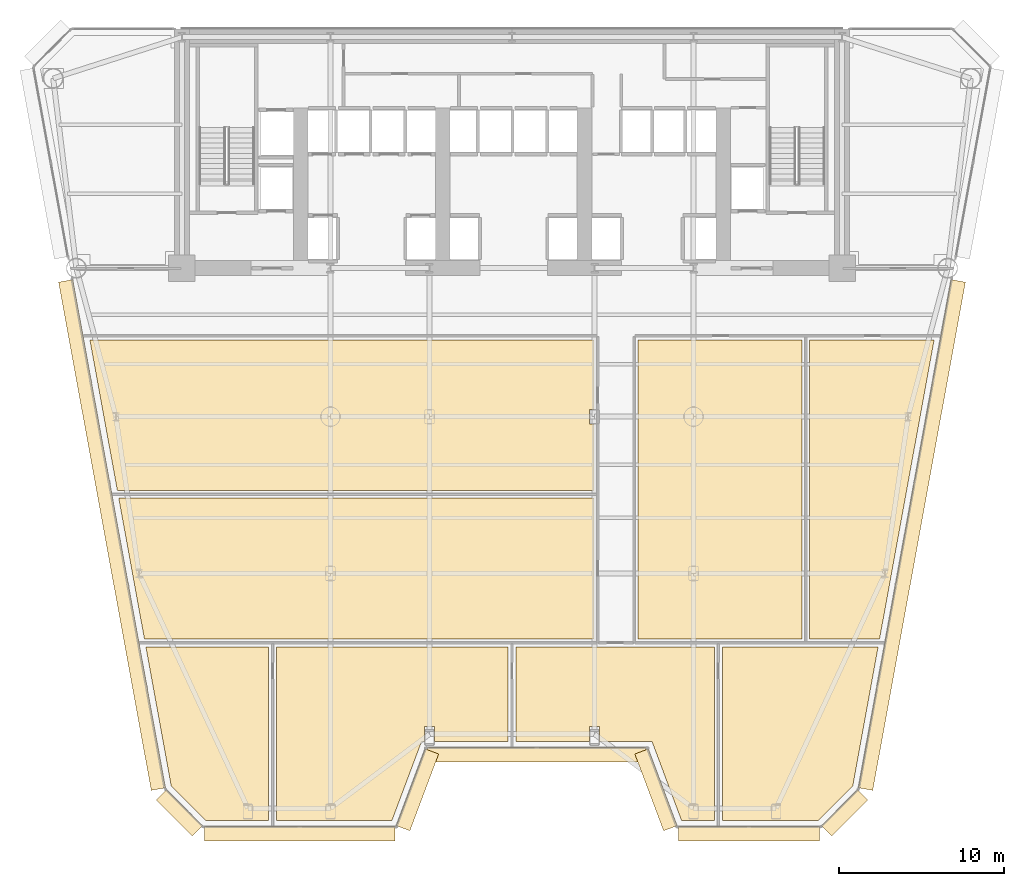
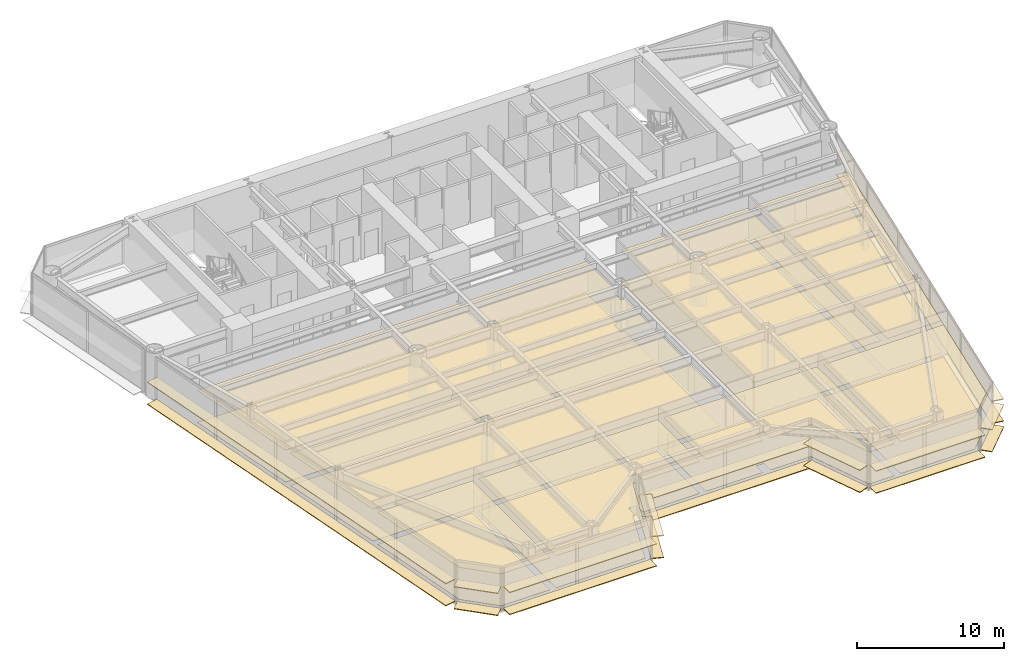
# One storey, part 11 of 14: 34 coverings.
"""IFC4 building model written with IfcOpenShell, lengths in metres."""

from ifc_helpers import new_model, si_unit, direction, frame, origin, origin_2d, place, context, subcontext, project, spatial, polyline, rectangle, outline, extrude, source, transform, mapped, material, layer, layer_set, type_object, element, save


model = new_model("IFC4")

# Units and contexts
model_context = context("Model", 3, precision=1e-05, world=origin(), true_north=direction((0.0, 1.0)))
body_context = subcontext(model_context, "Body", "Model", "MODEL_VIEW")
ifc_project = project(units=[si_unit("LENGTHUNIT", "METRE"), si_unit("AREAUNIT", "SQUARE_METRE"), si_unit("VOLUMEUNIT", "CUBIC_METRE"), si_unit("PLANEANGLEUNIT", "RADIAN"), si_unit("MASSUNIT", "GRAM", prefix="KILO")], contexts=[model_context])

# Site, building, storey
site_placement = place(None, origin())
site = spatial("IfcSite", under=ifc_project, at=site_placement, CompositionType="ELEMENT")
building_placement = place(site_placement, origin())
building = spatial("IfcBuilding", under=site, at=building_placement, Name="Vaeldorn Concourse Tower", CompositionType="ELEMENT")
storey_placement = place(building_placement, frame((0.0, 0.0, 60.60009765625)))
storey = spatial("IfcBuildingStorey", under=building, at=storey_placement, Name="L15", CompositionType="ELEMENT", Elevation=60.60009765625)

# Coverings
ifc_material_1 = material(Name="Acoustic Mineral Fibre Board", Category="gypsum")
ifc_layer_1 = layer(ifc_material_1, 0.0400390625)
ifc_layer_set_1 = layer_set([ifc_layer_1], Name="Acoustic Mineral Fibre Board")
covering_type_1 = type_object("IfcCoveringType", Name="COV-CEIL-ACOUSTIC", PredefinedType="CEILING", material=ifc_layer_set_1)
covering_1_placement = place(storey_placement, frame((0.0, 0.0, 2.64990234375)))
element("IfcCovering", 1, at=covering_1_placement, inside=storey, type_object=covering_type_1, Name="Suspended Acoustic Ceiling L15-5", PredefinedType="CEILING", context=body_context, shape_type="SweptSolid", body=[
    extrude(outline(polyline([(19.260009765625, 13.56005859375), (19.260009765625, 3.02978515625), (15.44677734375, 3.02978515625), (13.352294921875, 5.12451171875), (11.814208984375, 13.56005859375), (19.260009765625, 13.56005859375)])), origin(), (0.0, 0.0, 1.0), 0.0400390625),
])
covering_2_placement = place(storey_placement, frame((0.0, 0.0, 2.64990234375)))
element("IfcCovering", 2, at=covering_2_placement, inside=storey, type_object=covering_type_1, Name="Suspended Acoustic Ceiling L15-6", PredefinedType="CEILING", context=body_context, shape_type="SweptSolid", body=[
    extrude(outline(polyline([(26.722900390625, 3.02978515625), (19.739990234375, 3.02978515625), (19.739990234375, 13.56005859375), (33.760009765625, 13.56005859375), (33.760009765625, 7.829833984375), (29.300048828125, 7.829833984375), (29.300048828125, 8.718994140625), (28.699951171875, 8.718994140625), (28.699951171875, 7.829833984375), (28.522705078125, 7.829833984375), (26.722900390625, 3.02978515625)])), origin(), (0.0, 0.0, 1.0), 0.0400390625),
])
covering_3_placement = place(storey_placement, frame((0.0, 0.0, 2.64990234375)))
element("IfcCovering", 3, at=covering_3_placement, inside=storey, type_object=covering_type_1, Name="Suspended Acoustic Ceiling L15-7", PredefinedType="CEILING", context=body_context, shape_type="SweptSolid", body=[
    extrude(outline(polyline([(34.239990234375, 13.56005859375), (46.260009765625, 13.56005859375), (46.260009765625, 3.02978515625), (44.277099609375, 3.02978515625), (42.477294921875, 7.829833984375), (39.300048828125, 7.829833984375), (39.300048828125, 8.718994140625), (38.699951171875, 8.718994140625), (38.699951171875, 7.829833984375), (34.239990234375, 7.829833984375), (34.239990234375, 13.56005859375)])), origin(), (0.0, 0.0, 1.0), 0.0400390625),
])
covering_4_placement = place(storey_placement, frame((0.0, 0.0, 2.64990234375)))
element("IfcCovering", 4, at=covering_4_placement, inside=storey, type_object=covering_type_1, Name="Suspended Acoustic Ceiling L15-8", PredefinedType="CEILING", context=body_context, shape_type="SweptSolid", body=[
    extrude(outline(polyline([(52.55322265625, 3.02978515625), (46.739990234375, 3.02978515625), (46.739990234375, 13.56005859375), (56.185791015625, 13.56005859375), (54.647705078125, 5.12451171875), (52.55322265625, 3.02978515625)])), origin(), (0.0, 0.0, 1.0), 0.0400390625),
])
covering_5_placement = place(storey_placement, frame((0.0, 0.0, 2.64990234375)))
element("IfcCovering", 5, at=covering_5_placement, inside=storey, type_object=covering_type_1, Name="Suspended Acoustic Ceiling L15-9", PredefinedType="CEILING", context=body_context, shape_type="SweptSolid", body=[
    extrude(outline(polyline([(38.9599609375, 22.56005859375), (38.9599609375, 14.0400390625), (11.7265625, 14.0400390625), (10.173095703125, 22.56005859375), (38.9599609375, 22.56005859375)])), origin(), (0.0, 0.0, 1.0), 0.0400390625),
])
covering_6_placement = place(storey_placement, frame((0.0, 0.0, 2.64990234375)))
element("IfcCovering", 6, at=covering_6_placement, inside=storey, type_object=covering_type_1, Name="Suspended Acoustic Ceiling L15-10", PredefinedType="CEILING", context=body_context, shape_type="SweptSolid", body=[
    extrude(outline(polyline([(38.9599609375, 32.159912109375), (38.9599609375, 27.949951171875), (38.699951171875, 27.949951171875), (38.699951171875, 27.050048828125), (38.9599609375, 27.050048828125), (38.9599609375, 23.0400390625), (10.08544921875, 23.0400390625), (8.422607421875, 32.159912109375), (38.9599609375, 32.159912109375)])), origin(), (0.0, 0.0, 1.0), 0.0400390625),
])
covering_7_placement = place(storey_placement, frame((0.0, 0.0, 2.64990234375)))
element("IfcCovering", 7, at=covering_7_placement, inside=storey, type_object=covering_type_1, Name="Suspended Acoustic Ceiling L15-11", PredefinedType="CEILING", context=body_context, shape_type="SweptSolid", body=[
    extrude(outline(polyline([(41.639892578125, 32.159912109375), (51.56005859375, 32.159912109375), (51.56005859375, 14.0400390625), (41.639892578125, 14.0400390625), (41.639892578125, 32.159912109375)])), origin(), (0.0, 0.0, 1.0), 0.0400390625),
])
covering_8_placement = place(storey_placement, frame((0.0, 0.0, 2.64990234375)))
element("IfcCovering", 8, at=covering_8_placement, inside=storey, type_object=covering_type_1, Name="Suspended Acoustic Ceiling L15-12", PredefinedType="CEILING", context=body_context, shape_type="SweptSolid", body=[
    extrude(outline(polyline([(52.0400390625, 14.0400390625), (52.0400390625, 32.159912109375), (59.577392578125, 32.159912109375), (56.2734375, 14.0400390625), (52.0400390625, 14.0400390625)])), origin(), (0.0, 0.0, 1.0), 0.0400390625),
])
ifc_material_2 = material(Name="Honed Limestone Terrazzo Flooring", Category="masonry")
ifc_layer_2 = layer(ifc_material_2, 0.0400390625)
ifc_layer_set_2 = layer_set([ifc_layer_2], Name="Honed Limestone Terrazzo Flooring")
covering_type_2 = type_object("IfcCoveringType", Name="COV-FLOOR-STONE", PredefinedType="FLOORING", material=ifc_layer_set_2)
covering_9_placement = place(storey_placement, origin())
element("IfcCovering", 9, at=covering_9_placement, inside=storey, type_object=covering_type_2, Name="Floor Finish Covering L15-5", PredefinedType="FLOORING", context=body_context, shape_type="SweptSolid", body=[
    extrude(outline(polyline([(19.260009765625, 13.56005859375), (19.260009765625, 3.02978515625), (15.44677734375, 3.02978515625), (13.352294921875, 5.12451171875), (11.814208984375, 13.56005859375), (19.260009765625, 13.56005859375)])), origin(), (0.0, 0.0, 1.0), 0.02978515625),
])
covering_10_placement = place(storey_placement, origin())
element("IfcCovering", 10, at=covering_10_placement, inside=storey, type_object=covering_type_2, Name="Floor Finish Covering L15-6", PredefinedType="FLOORING", context=body_context, shape_type="SweptSolid", body=[
    extrude(outline(polyline([(26.722900390625, 3.02978515625), (19.739990234375, 3.02978515625), (19.739990234375, 13.56005859375), (33.760009765625, 13.56005859375), (33.760009765625, 7.829833984375), (29.300048828125, 7.829833984375), (29.300048828125, 8.718994140625), (28.699951171875, 8.718994140625), (28.699951171875, 7.829833984375), (28.522705078125, 7.829833984375), (26.722900390625, 3.02978515625)])), origin(), (0.0, 0.0, 1.0), 0.02978515625),
])
covering_11_placement = place(storey_placement, origin())
element("IfcCovering", 11, at=covering_11_placement, inside=storey, type_object=covering_type_2, Name="Floor Finish Covering L15-7", PredefinedType="FLOORING", context=body_context, shape_type="SweptSolid", body=[
    extrude(outline(polyline([(34.239990234375, 13.56005859375), (46.260009765625, 13.56005859375), (46.260009765625, 3.02978515625), (44.277099609375, 3.02978515625), (42.477294921875, 7.829833984375), (39.300048828125, 7.829833984375), (39.300048828125, 8.718994140625), (38.699951171875, 8.718994140625), (38.699951171875, 7.829833984375), (34.239990234375, 7.829833984375), (34.239990234375, 13.56005859375)])), origin(), (0.0, 0.0, 1.0), 0.02978515625),
])
covering_12_placement = place(storey_placement, origin())
element("IfcCovering", 12, at=covering_12_placement, inside=storey, type_object=covering_type_2, Name="Floor Finish Covering L15-8", PredefinedType="FLOORING", context=body_context, shape_type="SweptSolid", body=[
    extrude(outline(polyline([(52.55322265625, 3.02978515625), (46.739990234375, 3.02978515625), (46.739990234375, 13.56005859375), (56.185791015625, 13.56005859375), (54.647705078125, 5.12451171875), (52.55322265625, 3.02978515625)])), origin(), (0.0, 0.0, 1.0), 0.02978515625),
])
covering_13_placement = place(storey_placement, origin())
element("IfcCovering", 13, at=covering_13_placement, inside=storey, type_object=covering_type_2, Name="Floor Finish Covering L15-9", PredefinedType="FLOORING", context=body_context, shape_type="SweptSolid", body=[
    extrude(outline(polyline([(38.9599609375, 22.56005859375), (38.9599609375, 14.0400390625), (11.7265625, 14.0400390625), (10.173095703125, 22.56005859375), (38.9599609375, 22.56005859375)])), origin(), (0.0, 0.0, 1.0), 0.02978515625),
])
covering_14_placement = place(storey_placement, origin())
element("IfcCovering", 14, at=covering_14_placement, inside=storey, type_object=covering_type_2, Name="Floor Finish Covering L15-10", PredefinedType="FLOORING", context=body_context, shape_type="SweptSolid", body=[
    extrude(outline(polyline([(38.9599609375, 32.159912109375), (38.9599609375, 27.949951171875), (38.699951171875, 27.949951171875), (38.699951171875, 27.050048828125), (38.9599609375, 27.050048828125), (38.9599609375, 23.0400390625), (10.08544921875, 23.0400390625), (8.422607421875, 32.159912109375), (38.9599609375, 32.159912109375)])), origin(), (0.0, 0.0, 1.0), 0.02978515625),
])
covering_15_placement = place(storey_placement, origin())
element("IfcCovering", 15, at=covering_15_placement, inside=storey, type_object=covering_type_2, Name="Floor Finish Covering L15-11", PredefinedType="FLOORING", context=body_context, shape_type="SweptSolid", body=[
    extrude(outline(polyline([(41.639892578125, 32.159912109375), (51.56005859375, 32.159912109375), (51.56005859375, 14.0400390625), (41.639892578125, 14.0400390625), (41.639892578125, 32.159912109375)])), origin(), (0.0, 0.0, 1.0), 0.02978515625),
])
covering_16_placement = place(storey_placement, origin())
element("IfcCovering", 16, at=covering_16_placement, inside=storey, type_object=covering_type_2, Name="Floor Finish Covering L15-12", PredefinedType="FLOORING", context=body_context, shape_type="SweptSolid", body=[
    extrude(outline(polyline([(52.0400390625, 14.0400390625), (52.0400390625, 32.159912109375), (59.577392578125, 32.159912109375), (56.2734375, 14.0400390625), (52.0400390625, 14.0400390625)])), origin(), (0.0, 0.0, 1.0), 0.02978515625),
])
ifc_material_3 = material(Name="Anodised Bronze Aluminium", Category="aluminium")
ifc_layer_3 = layer(ifc_material_3, 0.06494140625)
ifc_layer_set_3 = layer_set([ifc_layer_3], Name="Anodised Bronze Aluminium")
covering_type_3 = type_object("IfcCoveringType", Name="SD-BRONZE-SUNSHADE", PredefinedType="USERDEFINED", material=ifc_layer_set_3)
shared_shape_1 = source(origin(), body_context, "Body", "SweptSolid", [
    extrude(rectangle(XDim=4.96630859375, YDim=0.8798828125, at=origin_2d()), origin(), (0.0, 0.0, 1.0), 0.06494140625),
])
for number, where, z_axis, x_axis, name in (
    (17, (28.2744140625, 4.889404296875, 0.04736328125), (0.0, 0.0, 1.0), (0.351122702609, 0.936329454686, 0.0), "Horizontal Bronze Sunshade L15-E02.1.1"),
    (18, (28.2744140625, 4.889404296875, 1.867431640625), (0.0, 0.0, 1.0), (0.351122702609, 0.936329454686, 0.0), "Horizontal Bronze Sunshade L15-E02.1.2"),
    (19, (42.7255859375, 4.889404296875, 0.04736328125), (0.0, 0.0, 1.0), (0.351122702609, -0.936329454686, 0.0), "Horizontal Bronze Sunshade L15-E04.1.1"),
    (20, (42.7255859375, 4.889404296875, 1.867431640625), (0.0, 0.0, 1.0), (0.351122702609, -0.936329454686, 0.0), "Horizontal Bronze Sunshade L15-E04.1.2"),
):
    element("IfcCovering", number, at=place(storey_placement, frame(where, z_axis=z_axis, x_axis=x_axis)), inside=storey, type_object=covering_type_3, Name=name, ObjectType="SUNSHADE", PredefinedType="USERDEFINED", context=body_context, shape_type="MappedRepresentation", body=[
        mapped(shared_shape_1, transform((0.0, 0.0, 0.0), scale=1.0)),
    ])
shared_shape_2 = source(origin(), body_context, "Body", "SweptSolid", [
    extrude(rectangle(XDim=13.239990234375, YDim=0.8798828125, at=origin_2d()), origin(), (0.0, 0.0, 1.0), 0.06494140625),
])
for number, where, z_axis, x_axis, name in (
    (21, (35.5, 7.02978515625, 0.04736328125), (0.0, 0.0, 1.0), (1.0, 0.0, 0.0), "Horizontal Bronze Sunshade L15-E03.1.1"),
    (22, (35.5, 7.02978515625, 1.867431640625), (0.0, 0.0, 1.0), (1.0, 0.0, 0.0), "Horizontal Bronze Sunshade L15-E03.1.2"),
):
    element("IfcCovering", number, at=place(storey_placement, frame(where, z_axis=z_axis, x_axis=x_axis)), inside=storey, type_object=covering_type_3, Name=name, ObjectType="SUNSHADE", PredefinedType="USERDEFINED", context=body_context, shape_type="MappedRepresentation", body=[
        mapped(shared_shape_2, transform((0.0, 0.0, 0.0), scale=1.0)),
    ])
shared_shape_3 = source(origin(), body_context, "Body", "SweptSolid", [
    extrude(rectangle(XDim=3.0927734375, YDim=0.8798828125, at=origin_2d()), origin(), (0.0, 0.0, 1.0), 0.06494140625),
])
for number, where, z_axis, x_axis, name in (
    (23, (54.151611328125, 3.4970703125, 0.04736328125), (0.0, 0.0, 1.0), (0.707106781187, 0.707106781187, 0.0), "Horizontal Bronze Sunshade L15-E06.1.1"),
    (24, (54.151611328125, 3.4970703125, 1.867431640625), (0.0, 0.0, 1.0), (0.707106781187, 0.707106781187, 0.0), "Horizontal Bronze Sunshade L15-E06.1.2"),
    (25, (13.848388671875, 3.4970703125, 0.04736328125), (0.0, 0.0, 1.0), (0.707106781187, -0.707106781187, 0.0), "Horizontal Bronze Sunshade L15-E12.1.1"),
    (26, (13.848388671875, 3.4970703125, 1.867431640625), (0.0, 0.0, 1.0), (0.707106781187, -0.707106781187, 0.0), "Horizontal Bronze Sunshade L15-E12.1.2"),
):
    element("IfcCovering", number, at=place(storey_placement, frame(where, z_axis=z_axis, x_axis=x_axis)), inside=storey, type_object=covering_type_3, Name=name, ObjectType="SUNSHADE", PredefinedType="USERDEFINED", context=body_context, shape_type="MappedRepresentation", body=[
        mapped(shared_shape_3, transform((0.0, 0.0, 0.0), scale=1.0)),
    ])
shared_shape_4 = source(origin(), body_context, "Body", "SweptSolid", [
    extrude(rectangle(XDim=11.558837890625, YDim=0.8798828125, at=origin_2d()), origin(), (0.0, 0.0, 1.0), 0.06494140625),
])
for number, where, z_axis, x_axis, name in (
    (27, (21.140625, 2.229736328125, 0.04736328125), (0.0, 0.0, 1.0), (1.0, 0.0, 0.0), "Horizontal Bronze Sunshade L15-E01.1.1"),
    (28, (21.140625, 2.229736328125, 1.867431640625), (0.0, 0.0, 1.0), (1.0, 0.0, 0.0), "Horizontal Bronze Sunshade L15-E01.1.2"),
):
    element("IfcCovering", number, at=place(storey_placement, frame(where, z_axis=z_axis, x_axis=x_axis)), inside=storey, type_object=covering_type_3, Name=name, ObjectType="SUNSHADE", PredefinedType="USERDEFINED", context=body_context, shape_type="MappedRepresentation", body=[
        mapped(shared_shape_4, transform((0.0, 0.0, 0.0), scale=1.0)),
    ])
shared_shape_5 = source(origin(), body_context, "Body", "SweptSolid", [
    extrude(rectangle(XDim=8.558837890625, YDim=0.8798828125, at=origin_2d()), origin(), (0.0, 0.0, 1.0), 0.06494140625),
])
for number, where, z_axis, x_axis, name in (
    (29, (48.359375, 2.229736328125, 0.04736328125), (0.0, 0.0, 1.0), (1.0, 0.0, 0.0), "Horizontal Bronze Sunshade L15-E05.1.1"),
    (30, (48.359375, 2.229736328125, 1.867431640625), (0.0, 0.0, 1.0), (1.0, 0.0, 0.0), "Horizontal Bronze Sunshade L15-E05.1.2"),
):
    element("IfcCovering", number, at=place(storey_placement, frame(where, z_axis=z_axis, x_axis=x_axis)), inside=storey, type_object=covering_type_3, Name=name, ObjectType="SUNSHADE", PredefinedType="USERDEFINED", context=body_context, shape_type="MappedRepresentation", body=[
        mapped(shared_shape_5, transform((0.0, 0.0, 0.0), scale=1.0)),
    ])
shared_shape_6 = source(origin(), body_context, "Body", "SweptSolid", [
    extrude(rectangle(XDim=31.301025390625, YDim=0.8798828125, at=origin_2d()), origin(), (0.0, 0.0, 1.0), 0.06494140625),
])
for number, where, z_axis, x_axis, name in (
    (31, (58.234130859375, 20.33349609375, 0.04736328125), (0.0, 0.0, 1.0), (0.179386032735, 0.983778761338, 0.0), "Horizontal Bronze Sunshade L15-E07.1.1"),
    (32, (58.234130859375, 20.33349609375, 1.867431640625), (0.0, 0.0, 1.0), (0.179386032735, 0.983778761338, 0.0), "Horizontal Bronze Sunshade L15-E07.1.2"),
    (33, (9.765869140625, 20.33349609375, 0.04736328125), (0.0, 0.0, 1.0), (0.179386032735, -0.983778761338, 0.0), "Horizontal Bronze Sunshade L15-E11.2.1"),
    (34, (9.765869140625, 20.33349609375, 1.867431640625), (0.0, 0.0, 1.0), (0.179386032735, -0.983778761338, 0.0), "Horizontal Bronze Sunshade L15-E11.2.2"),
):
    element("IfcCovering", number, at=place(storey_placement, frame(where, z_axis=z_axis, x_axis=x_axis)), inside=storey, type_object=covering_type_3, Name=name, ObjectType="SUNSHADE", PredefinedType="USERDEFINED", context=body_context, shape_type="MappedRepresentation", body=[
        mapped(shared_shape_6, transform((0.0, 0.0, 0.0), scale=1.0)),
    ])

save(model, "model.ifc")
